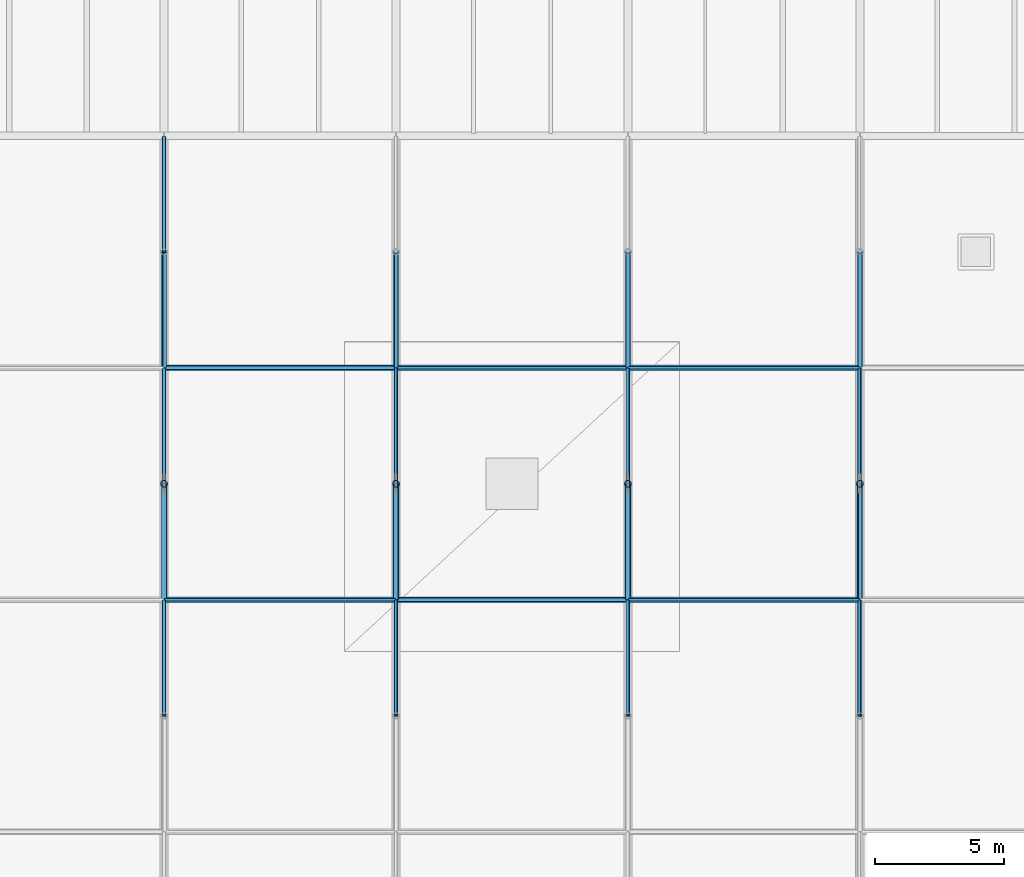
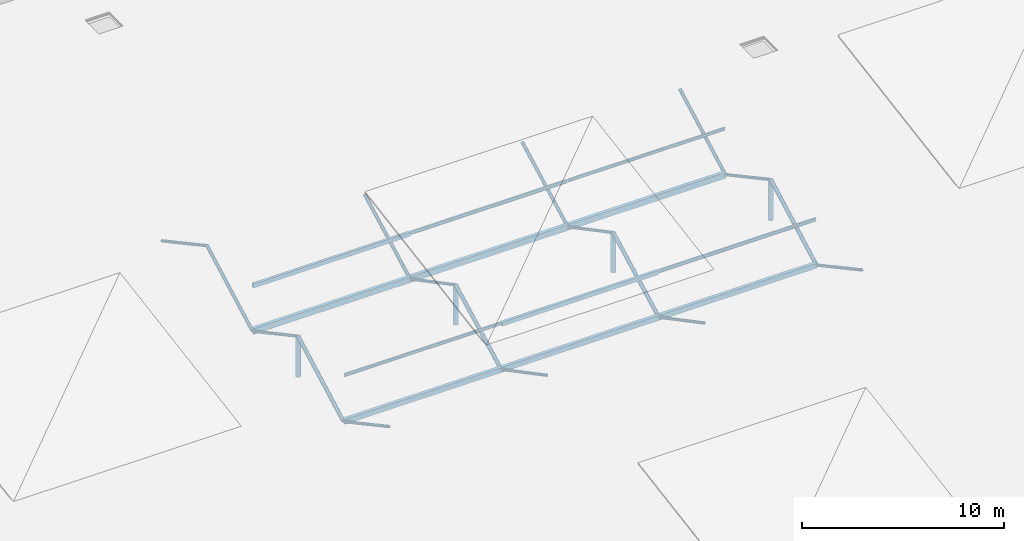
# One storey, part 69 of 196: 33 members.
"""IFC4 building model written with IfcOpenShell, lengths in metres."""

from ifc_helpers import new_model, si_unit, direction, frame, origin, origin_2d, place, context, subcontext, project, spatial, hollow_rectangle, hollow_circle, i_section, extrude, material, material_profile, profile_set, type_object, element, save


model = new_model("IFC4")

# Units and contexts
model_context = context("Model", 3, precision=1e-05, world=origin(), true_north=direction((0.0, 1.0)))
body_context = subcontext(model_context, "Body", "Model", "MODEL_VIEW")
ifc_project = project(units=[si_unit("LENGTHUNIT", "METRE"), si_unit("AREAUNIT", "SQUARE_METRE"), si_unit("VOLUMEUNIT", "CUBIC_METRE"), si_unit("PLANEANGLEUNIT", "RADIAN"), si_unit("MASSUNIT", "GRAM", prefix="KILO")], contexts=[model_context])

# Site, building, storey
site_placement = place(None, origin())
site = spatial("IfcSite", under=ifc_project, at=site_placement, CompositionType="ELEMENT")
building_placement = place(site_placement, origin())
building = spatial("IfcBuilding", under=site, at=building_placement, Name="Barlavento Convention Centre", CompositionType="ELEMENT")
storey_placement = place(building_placement, frame((0.0, 0.0, 18.0)))
storey = spatial("IfcBuildingStorey", under=building, at=storey_placement, Name="L03", CompositionType="ELEMENT", Elevation=18.0)

# Members
ifc_material = material(Name="Steel S355", Category="steel")
ifc_material_profile_1 = material_profile(ifc_material, hollow_rectangle(XDim=0.199951171875, YDim=0.300048828125, WallThickness=0.012451171875, at=origin_2d()), Name="RHS 300x200x12.5")
ifc_profile_set_1 = profile_set([ifc_material_profile_1], Name="Steel S355")
member_type_1 = type_object("IfcMemberType", Name="STR-MEM-COL-RHS300", PredefinedType="COLLAR", material=ifc_profile_set_1)
for number, where, z_axis, x_axis, name in (
    (1, (36.02001953125, 99.0, -3.199951171875), (1.0, 0.0, 0.0), (0.0, 1.0, 0.0), "Exhibition space frame transverse chord"),
    (2, (45.02001953125, 99.0, -3.199951171875), (1.0, 0.0, 0.0), (0.0, 1.0, 0.0), "Exhibition space frame transverse chord"),
    (3, (54.02001953125, 99.0, -3.199951171875), (1.0, 0.0, 0.0), (0.0, 1.0, 0.0), "Exhibition space frame transverse chord"),
):
    element("IfcMember", number, at=place(storey_placement, frame(where, z_axis=z_axis, x_axis=x_axis)), inside=storey, type_object=member_type_1, Name=name, PredefinedType="COLLAR", context=body_context, shape_type="SweptSolid", body=[
        extrude(hollow_rectangle(XDim=0.199951171875, YDim=0.300048828125, WallThickness=0.012451171875, at=origin_2d()), origin(), (0.0, 0.0, 1.0), 8.9599609375),
    ])
ifc_material_profile_2 = material_profile(ifc_material, hollow_rectangle(XDim=0.199951171875, YDim=0.35009765625, WallThickness=0.012451171875, at=origin_2d()), Name="RHS 350x200x12.5")
ifc_profile_set_2 = profile_set([ifc_material_profile_2], Name="Steel S355")
member_type_2 = type_object("IfcMemberType", Name="STR-MEM-COL-RHS350", PredefinedType="COLLAR", material=ifc_profile_set_2)
for number, where, z_axis, x_axis, name in (
    (4, (36.02001953125, 108.0, -3.199951171875), (1.0, 0.0, 0.0), (0.0, 1.0, 0.0), "Exhibition space frame transverse chord"),
    (5, (45.02001953125, 108.0, -3.199951171875), (1.0, 0.0, 0.0), (0.0, 1.0, 0.0), "Exhibition space frame transverse chord"),
    (6, (54.02001953125, 108.0, -3.199951171875), (1.0, 0.0, 0.0), (0.0, 1.0, 0.0), "Exhibition space frame transverse chord"),
):
    element("IfcMember", number, at=place(storey_placement, frame(where, z_axis=z_axis, x_axis=x_axis)), inside=storey, type_object=member_type_2, Name=name, PredefinedType="COLLAR", context=body_context, shape_type="SweptSolid", body=[
        extrude(hollow_rectangle(XDim=0.199951171875, YDim=0.35009765625, WallThickness=0.012451171875, at=origin_2d()), origin(), (0.0, 0.0, 1.0), 8.9599609375),
    ])
ifc_material_profile_3 = material_profile(ifc_material, hollow_circle(Radius=0.084228515625, WallThickness=0.010009765625, at=origin_2d()), Name="CHS 168.3x10.0")
ifc_profile_set_3 = profile_set([ifc_material_profile_3], Name="Steel S355")
member_type_3 = type_object("IfcMemberType", Name="STR-MEM-DIAG-CHS168", PredefinedType="POST", material=ifc_profile_set_3)
for number, where, z_axis, x_axis, name in (
    (7, (36.0, 94.5, -0.794921875), (0.0, 0.879735433057, -0.475463529437), (-1.0, 0.0, 0.0), "Exhibition space frame web diagonal"),
    (8, (36.0, 103.5, -0.794921875), (0.0, 0.879735433057, -0.475463529437), (-1.0, 0.0, 0.0), "Exhibition space frame web diagonal"),
    (9, (36.0, 112.5, -0.794921875), (0.0, 0.879735433057, -0.475463529437), (-1.0, 0.0, 0.0), "Exhibition space frame web diagonal"),
):
    element("IfcMember", number, at=place(storey_placement, frame(where, z_axis=z_axis, x_axis=x_axis)), inside=storey, type_object=member_type_3, Name=name, PredefinedType="POST", context=body_context, shape_type="SweptSolid", body=[
        extrude(hollow_circle(Radius=0.084228515625, WallThickness=0.010009765625, at=origin_2d()), origin(), (0.0, 0.0, 1.0), 5.058349609375),
    ])
for number, where, z_axis, x_axis, name in (
    (10, (45.0, 94.5, -0.84912109375), (0.0, 0.884200566707, -0.467107437144), (-1.0, 0.0, 0.0), "Exhibition space frame web diagonal"),
    (11, (45.0, 103.5, -0.84912109375), (0.0, 0.884200566707, -0.467107437144), (-1.0, 0.0, 0.0), "Exhibition space frame web diagonal"),
):
    element("IfcMember", number, at=place(storey_placement, frame(where, z_axis=z_axis, x_axis=x_axis)), inside=storey, type_object=member_type_3, Name=name, PredefinedType="POST", context=body_context, shape_type="SweptSolid", body=[
        extrude(hollow_circle(Radius=0.084228515625, WallThickness=0.010009765625, at=origin_2d()), origin(), (0.0, 0.0, 1.0), 5.03271484375),
    ])
for number, where, z_axis, x_axis, name in (
    (12, (54.0, 94.5, -0.844970703125), (0.0, 0.883859857229, -0.467751806816), (-1.0, 0.0, 0.0), "Exhibition space frame web diagonal"),
    (13, (54.0, 103.5, -0.844970703125), (0.0, 0.883859857229, -0.467751806816), (-1.0, 0.0, 0.0), "Exhibition space frame web diagonal"),
):
    element("IfcMember", number, at=place(storey_placement, frame(where, z_axis=z_axis, x_axis=x_axis)), inside=storey, type_object=member_type_3, Name=name, PredefinedType="POST", context=body_context, shape_type="SweptSolid", body=[
        extrude(hollow_circle(Radius=0.084228515625, WallThickness=0.010009765625, at=origin_2d()), origin(), (0.0, 0.0, 1.0), 5.03466796875),
    ])
for number, where, z_axis, x_axis, name in (
    (14, (63.0, 94.5, -0.794921875), (0.0, 0.879735433057, -0.475463529437), (-1.0, 0.0, 0.0), "Exhibition space frame web diagonal"),
    (15, (63.0, 103.5, -0.794921875), (0.0, 0.879735433057, -0.475463529437), (-1.0, 0.0, 0.0), "Exhibition space frame web diagonal"),
):
    element("IfcMember", number, at=place(storey_placement, frame(where, z_axis=z_axis, x_axis=x_axis)), inside=storey, type_object=member_type_3, Name=name, PredefinedType="POST", context=body_context, shape_type="SweptSolid", body=[
        extrude(hollow_circle(Radius=0.084228515625, WallThickness=0.010009765625, at=origin_2d()), origin(), (0.0, 0.0, 1.0), 5.058349609375),
    ])
ifc_material_profile_4 = material_profile(ifc_material, hollow_circle(Radius=0.096923828125, WallThickness=0.010009765625, at=origin_2d()), Name="CHS 193.7x10.0")
ifc_profile_set_4 = profile_set([ifc_material_profile_4], Name="Steel S355")
member_type_4 = type_object("IfcMemberType", Name="STR-MEM-DIAG-CHS193", PredefinedType="RAFTER", material=ifc_profile_set_4)
member_1_placement = place(storey_placement, frame((36.0, 108.050048828125, -3.199951171875), z_axis=(0.0, 0.879735433057, 0.475463529437), x_axis=(-1.0, 0.0, 0.0)))
element("IfcMember", 16, at=member_1_placement, inside=storey, type_object=member_type_4, Name="Exhibition space frame web diagonal", PredefinedType="RAFTER", context=body_context, shape_type="SweptSolid", body=[
    extrude(hollow_circle(Radius=0.096923828125, WallThickness=0.010009765625, at=origin_2d()), origin(), (0.0, 0.0, 1.0), 5.058349609375),
])
member_2_placement = place(storey_placement, frame((45.0, 108.050048828125, -3.199951171875), z_axis=(0.0, 0.884200566707, 0.467107437144), x_axis=(-1.0, 0.0, 0.0)))
element("IfcMember", 17, at=member_2_placement, inside=storey, type_object=member_type_4, Name="Exhibition space frame web diagonal", PredefinedType="RAFTER", context=body_context, shape_type="SweptSolid", body=[
    extrude(hollow_circle(Radius=0.096923828125, WallThickness=0.010009765625, at=origin_2d()), origin(), (0.0, 0.0, 1.0), 5.03271484375),
])
member_3_placement = place(storey_placement, frame((54.0, 108.050048828125, -3.199951171875), z_axis=(0.0, 0.883859857229, 0.467751806816), x_axis=(-1.0, 0.0, 0.0)))
element("IfcMember", 18, at=member_3_placement, inside=storey, type_object=member_type_4, Name="Exhibition space frame web diagonal", PredefinedType="RAFTER", context=body_context, shape_type="SweptSolid", body=[
    extrude(hollow_circle(Radius=0.096923828125, WallThickness=0.010009765625, at=origin_2d()), origin(), (0.0, 0.0, 1.0), 5.03466796875),
])
member_4_placement = place(storey_placement, frame((63.0, 108.050048828125, -3.199951171875), z_axis=(0.0, 0.879735433057, 0.475463529437), x_axis=(-1.0, 0.0, 0.0)))
element("IfcMember", 19, at=member_4_placement, inside=storey, type_object=member_type_4, Name="Exhibition space frame web diagonal", PredefinedType="RAFTER", context=body_context, shape_type="SweptSolid", body=[
    extrude(hollow_circle(Radius=0.096923828125, WallThickness=0.010009765625, at=origin_2d()), origin(), (0.0, 0.0, 1.0), 5.058349609375),
])
ifc_material_profile_5 = material_profile(ifc_material, hollow_circle(Radius=0.109619140625, WallThickness=0.012451171875, at=origin_2d()), Name="CHS 219.1x12.5")
ifc_profile_set_5 = profile_set([ifc_material_profile_5], Name="Steel S355")
member_type_5 = type_object("IfcMemberType", Name="STR-MEM-DIAG-CHS219", PredefinedType="RAFTER", material=ifc_profile_set_5)
member_5_placement = place(storey_placement, frame((36.0, 99.050048828125, -3.199951171875), z_axis=(0.0, 0.879735433057, 0.475463529437), x_axis=(-1.0, 0.0, 0.0)))
element("IfcMember", 20, at=member_5_placement, inside=storey, type_object=member_type_5, Name="Exhibition space frame web diagonal", PredefinedType="RAFTER", context=body_context, shape_type="SweptSolid", body=[
    extrude(hollow_circle(Radius=0.109619140625, WallThickness=0.012451171875, at=origin_2d()), origin(), (0.0, 0.0, 1.0), 5.058349609375),
])
member_6_placement = place(storey_placement, frame((45.0, 99.050048828125, -3.199951171875), z_axis=(0.0, 0.884200566707, 0.467107437144), x_axis=(-1.0, 0.0, 0.0)))
element("IfcMember", 21, at=member_6_placement, inside=storey, type_object=member_type_5, Name="Exhibition space frame web diagonal", PredefinedType="RAFTER", context=body_context, shape_type="SweptSolid", body=[
    extrude(hollow_circle(Radius=0.109619140625, WallThickness=0.012451171875, at=origin_2d()), origin(), (0.0, 0.0, 1.0), 5.03271484375),
])
member_7_placement = place(storey_placement, frame((54.0, 99.050048828125, -3.199951171875), z_axis=(0.0, 0.883859857229, 0.467751806816), x_axis=(-1.0, 0.0, 0.0)))
element("IfcMember", 22, at=member_7_placement, inside=storey, type_object=member_type_5, Name="Exhibition space frame web diagonal", PredefinedType="RAFTER", context=body_context, shape_type="SweptSolid", body=[
    extrude(hollow_circle(Radius=0.109619140625, WallThickness=0.012451171875, at=origin_2d()), origin(), (0.0, 0.0, 1.0), 5.03466796875),
])
member_8_placement = place(storey_placement, frame((63.0, 99.050048828125, -3.199951171875), z_axis=(0.0, 0.879735433057, 0.475463529437), x_axis=(-1.0, 0.0, 0.0)))
element("IfcMember", 23, at=member_8_placement, inside=storey, type_object=member_type_5, Name="Exhibition space frame web diagonal", PredefinedType="RAFTER", context=body_context, shape_type="SweptSolid", body=[
    extrude(hollow_circle(Radius=0.109619140625, WallThickness=0.012451171875, at=origin_2d()), origin(), (0.0, 0.0, 1.0), 5.058349609375),
])
ifc_material_profile_6 = material_profile(ifc_material, i_section(OverallWidth=0.091064453125, OverallDepth=0.179931640625, WebThickness=0.00537109375, FlangeThickness=0.008056640625, FilletRadius=0.009033203125, at=origin_2d()), Name="IPE 180")
ifc_profile_set_6 = profile_set([ifc_material_profile_6], Name="Steel S355")
member_type_6 = type_object("IfcMemberType", Name="STR-MEM-PUR-IPE180", PredefinedType="PURLIN", material=ifc_profile_set_6)
for number, where, z_axis, x_axis, name in (
    (24, (36.02001953125, 99.0, -0.43505859375), (1.0, 0.0, 0.0), (0.0, 1.0, 0.0), "Exhibition roof purlin"),
    (25, (54.02001953125, 108.0, -0.43505859375), (1.0, 0.0, 0.0), (0.0, 1.0, 0.0), "Exhibition roof purlin"),
):
    element("IfcMember", number, at=place(storey_placement, frame(where, z_axis=z_axis, x_axis=x_axis)), inside=storey, type_object=member_type_6, Name=name, PredefinedType="PURLIN", context=body_context, shape_type="SweptSolid", body=[
        extrude(i_section(OverallWidth=0.091064453125, OverallDepth=0.179931640625, WebThickness=0.00537109375, FlangeThickness=0.008056640625, FilletRadius=0.009033203125, at=origin_2d()), origin(), (0.0, 0.0, 1.0), 8.9599609375),
    ])
ifc_material_profile_7 = material_profile(ifc_material, i_section(OverallWidth=0.10009765625, OverallDepth=0.199951171875, WebThickness=0.005615234375, FlangeThickness=0.008544921875, FilletRadius=0.011962890625, at=origin_2d()), Name="IPE 200")
ifc_profile_set_7 = profile_set([ifc_material_profile_7], Name="Steel S355")
member_type_7 = type_object("IfcMemberType", Name="STR-MEM-PUR-IPE200", PredefinedType="PURLIN", material=ifc_profile_set_7)
for number, where, z_axis, x_axis, name in (
    (26, (54.02001953125, 99.0, -0.445068359375), (1.0, 0.0, 0.0), (0.0, 1.0, 0.0), "Exhibition roof purlin"),
    (27, (45.02001953125, 108.0, -0.445068359375), (1.0, 0.0, 0.0), (0.0, 1.0, 0.0), "Exhibition roof purlin"),
):
    element("IfcMember", number, at=place(storey_placement, frame(where, z_axis=z_axis, x_axis=x_axis)), inside=storey, type_object=member_type_7, Name=name, PredefinedType="PURLIN", context=body_context, shape_type="SweptSolid", body=[
        extrude(i_section(OverallWidth=0.10009765625, OverallDepth=0.199951171875, WebThickness=0.005615234375, FlangeThickness=0.008544921875, FilletRadius=0.011962890625, at=origin_2d()), origin(), (0.0, 0.0, 1.0), 8.9599609375),
    ])
ifc_material_profile_8 = material_profile(ifc_material, hollow_rectangle(XDim=0.14990234375, YDim=0.25, WallThickness=0.010009765625, at=origin_2d()), Name="RHS 250x150x10.0")
ifc_profile_set_8 = profile_set([ifc_material_profile_8], Name="Steel S355")
member_type_8 = type_object("IfcMemberType", Name="STR-MEM-PUR-RHS250", PredefinedType="PURLIN", material=ifc_profile_set_8)
for number, where, z_axis, x_axis, name in (
    (28, (45.02001953125, 99.0, -0.469970703125), (1.0, 0.0, 0.0), (0.0, 1.0, 0.0), "Exhibition roof purlin"),
    (29, (36.02001953125, 108.0, -0.469970703125), (1.0, 0.0, 0.0), (0.0, 1.0, 0.0), "Exhibition roof purlin"),
):
    element("IfcMember", number, at=place(storey_placement, frame(where, z_axis=z_axis, x_axis=x_axis)), inside=storey, type_object=member_type_8, Name=name, PredefinedType="PURLIN", context=body_context, shape_type="SweptSolid", body=[
        extrude(hollow_rectangle(XDim=0.14990234375, YDim=0.25, WallThickness=0.010009765625, at=origin_2d()), origin(), (0.0, 0.0, 1.0), 8.9599609375),
    ])
ifc_material_profile_9 = material_profile(ifc_material, hollow_circle(Radius=0.136474609375, WallThickness=0.012451171875, at=origin_2d()), Name="CHS 273.0x12.5")
ifc_profile_set_9 = profile_set([ifc_material_profile_9], Name="Steel S355")
member_type_9 = type_object("IfcMemberType", Name="STR-MEM-STRUT-CHS273", PredefinedType="STRUT", material=ifc_profile_set_9)
member_9_placement = place(storey_placement, frame((36.0, 103.5, -3.199951171875), z_axis=(0.0, 0.0, 1.0), x_axis=(1.0, 0.0, 0.0)))
element("IfcMember", 30, at=member_9_placement, inside=storey, type_object=member_type_9, Name="Exhibition space frame vertical strut", PredefinedType="STRUT", context=body_context, shape_type="SweptSolid", body=[
    extrude(hollow_circle(Radius=0.136474609375, WallThickness=0.012451171875, at=origin_2d()), origin(), (0.0, 0.0, 1.0), 2.405029296875),
])
member_10_placement = place(storey_placement, frame((45.0, 103.5, -3.199951171875), z_axis=(0.0, 0.0, 1.0), x_axis=(1.0, 0.0, 0.0)))
element("IfcMember", 31, at=member_10_placement, inside=storey, type_object=member_type_9, Name="Exhibition space frame vertical strut", PredefinedType="STRUT", context=body_context, shape_type="SweptSolid", body=[
    extrude(hollow_circle(Radius=0.136474609375, WallThickness=0.012451171875, at=origin_2d()), origin(), (0.0, 0.0, 1.0), 2.350830078125),
])
member_11_placement = place(storey_placement, frame((54.0, 103.5, -3.199951171875), z_axis=(0.0, 0.0, 1.0), x_axis=(1.0, 0.0, 0.0)))
element("IfcMember", 32, at=member_11_placement, inside=storey, type_object=member_type_9, Name="Exhibition space frame vertical strut", PredefinedType="STRUT", context=body_context, shape_type="SweptSolid", body=[
    extrude(hollow_circle(Radius=0.136474609375, WallThickness=0.012451171875, at=origin_2d()), origin(), (0.0, 0.0, 1.0), 2.35498046875),
])
member_12_placement = place(storey_placement, frame((63.0, 103.5, -3.199951171875), z_axis=(0.0, 0.0, 1.0), x_axis=(1.0, 0.0, 0.0)))
element("IfcMember", 33, at=member_12_placement, inside=storey, type_object=member_type_9, Name="Exhibition space frame vertical strut", PredefinedType="STRUT", context=body_context, shape_type="SweptSolid", body=[
    extrude(hollow_circle(Radius=0.136474609375, WallThickness=0.012451171875, at=origin_2d()), origin(), (0.0, 0.0, 1.0), 2.405029296875),
])

save(model, "model.ifc")
